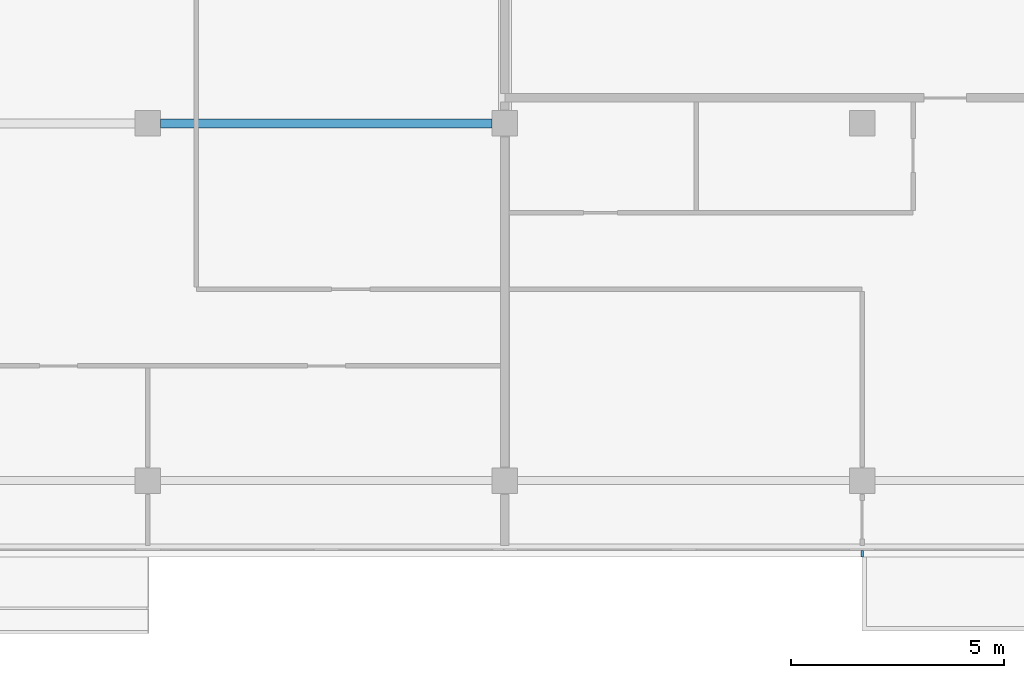
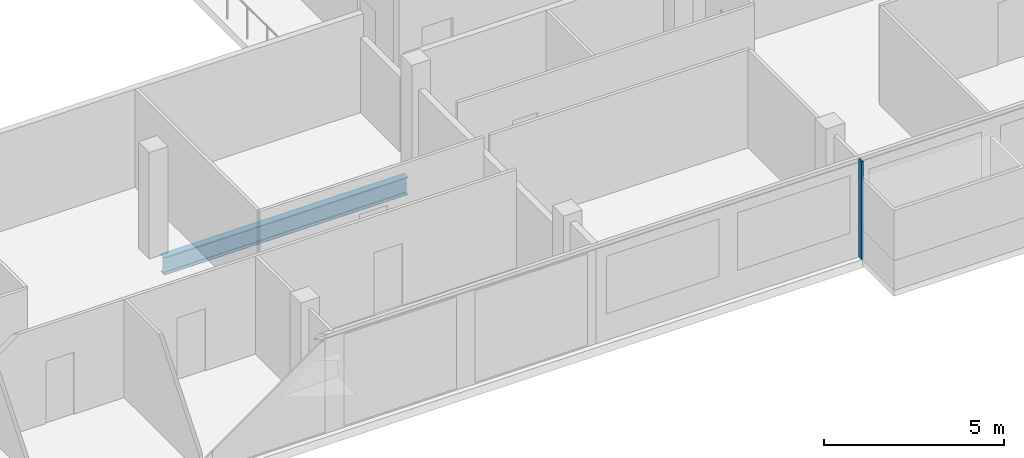
# One storey, part 6 of 26: 1 beam, 1 member, 1 element without a shape of its own.
"""IFC4 building model written with IfcOpenShell, lengths in metres."""

from ifc_helpers import new_model, si_unit, direction, frame, origin, origin_2d, place, context, subcontext, project, spatial, rectangle, i_section, extrude, material, material_profile, profile_set, type_object, element, aggregate, save


model = new_model("IFC4")

# Units and contexts
model_context = context("Model", 3, precision=1e-05, world=origin(), true_north=direction((0.0, 1.0)))
body_context = subcontext(model_context, "Body", "Model", "MODEL_VIEW")
ifc_project = project(units=[si_unit("LENGTHUNIT", "METRE"), si_unit("AREAUNIT", "SQUARE_METRE"), si_unit("VOLUMEUNIT", "CUBIC_METRE"), si_unit("PLANEANGLEUNIT", "RADIAN"), si_unit("MASSUNIT", "GRAM", prefix="KILO")], contexts=[model_context])

# Site, building, storey
site_placement = place(None, origin())
site = spatial("IfcSite", under=ifc_project, at=site_placement, CompositionType="ELEMENT")
building_placement = place(site_placement, origin())
building = spatial("IfcBuilding", under=site, at=building_placement, Name="Saffron Gate Tower", CompositionType="ELEMENT")
storey_placement = place(building_placement, frame((0.0, 0.0, 230.699951171875)))
storey = spatial("IfcBuildingStorey", under=building, at=storey_placement, Name="L56", CompositionType="ELEMENT", Elevation=230.699951171875)

# Beam
ifc_material_1 = material(Name="Structural steel S355", Category="steel")
ifc_material_profile_1 = material_profile(ifc_material_1, i_section(OverallWidth=0.219970703125, OverallDepth=0.60009765625, WebThickness=0.011962890625, FlangeThickness=0.01904296875, FilletRadius=0.02392578125, at=origin_2d()))
ifc_profile_set_1 = profile_set([ifc_material_profile_1], Name="Structural steel S355")
beam_type = type_object("IfcBeamType", Name="B15 IPE 600", PredefinedType="BEAM", material=ifc_profile_set_1)
beam_placement = place(storey_placement, frame((92.10009765625, 40.199951171875, -0.579833984375), z_axis=(1.0, 0.0, 0.0), x_axis=(0.0, 1.0, 0.0)))
element("IfcBeam", 1, at=beam_placement, inside=storey, type_object=beam_type, Name="B15 FLOOR GIRDER", PredefinedType="BEAM", context=body_context, shape_type="SweptSolid", body=[
    extrude(i_section(OverallWidth=0.219970703125, OverallDepth=0.60009765625, WebThickness=0.011962890625, FlangeThickness=0.01904296875, FilletRadius=0.02392578125, at=origin_2d()), origin(), (0.0, 0.0, 1.0), 7.7998046875),
])

# Curtain wall, member
ifc_material_2 = material(Name="Aluminium, bronze anodised", Category="aluminium")
curtain_wall_type = type_object("IfcCurtainWallType", Name="CWS1 curtain wall front facade", PredefinedType="NOTDEFINED", material=ifc_material_2)
curtain_wall_placement = place(storey_placement, origin())
curtain_wall = element("IfcCurtainWall", 2, at=curtain_wall_placement, inside=storey, type_object=curtain_wall_type, Name="CWS1 run 1", PredefinedType="NOTDEFINED")
ifc_material_profile_2 = material_profile(ifc_material_2, rectangle(XDim=0.159912109375, YDim=0.06005859375, at=origin_2d()))
ifc_profile_set_2 = profile_set([ifc_material_profile_2], Name="Aluminium, bronze anodised")
member_type = type_object("IfcMemberType", Name="CWS1 mullion 60x160", PredefinedType="MULLION", material=ifc_profile_set_2)
member_placement = place(storey_placement, frame((108.60009765625, 30.080078125, 0.0), z_axis=(0.0, 0.0, 1.0), x_axis=(0.0, 1.0, 0.0)))
member = element("IfcMember", 3, at=member_placement, type_object=member_type, Name="CWS1 mullion 8", PredefinedType="MULLION", context=body_context, shape_type="SweptSolid", body=[
    extrude(rectangle(XDim=0.159912109375, YDim=0.06005859375, at=origin_2d()), origin(), (0.0, 0.0, 1.0), 3.320068359375),
])
aggregate(curtain_wall, [member])

save(model, "model.ifc")
